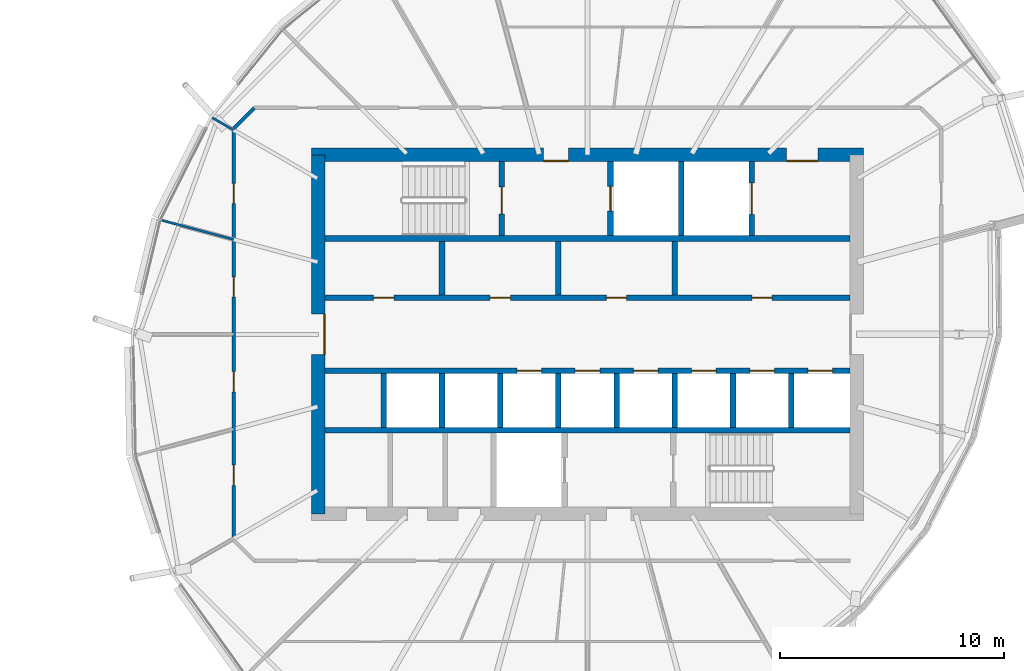
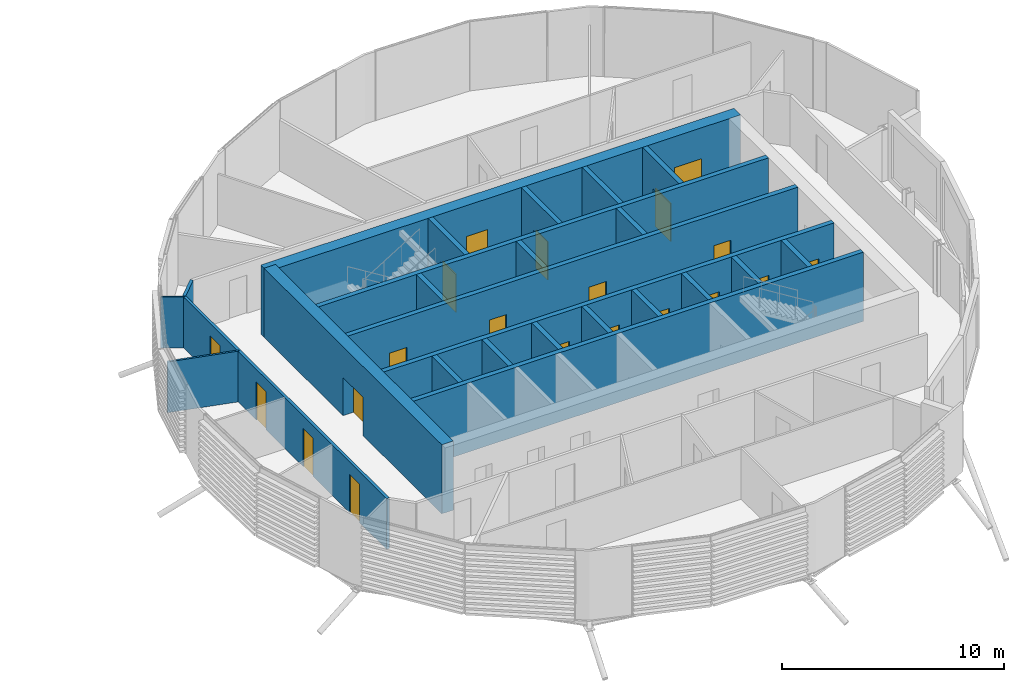
# One storey, part 22 of 35: 25 walls, 20 doors, 20 openings.
"""IFC4 building model written with IfcOpenShell, lengths in metres."""

from ifc_helpers import new_model, si_unit, direction, frame, frame_2d, origin, place, context, subcontext, project, spatial, rectangle, extrude, material, layer, layer_set, type_object, element, fill, save


model = new_model("IFC4")

# Units and contexts
model_context = context("Model", 3, precision=1e-05, world=origin(), true_north=direction((0.0, 1.0)))
body_context = subcontext(model_context, "Body", "Model", "MODEL_VIEW")
ifc_project = project(units=[si_unit("LENGTHUNIT", "METRE"), si_unit("AREAUNIT", "SQUARE_METRE"), si_unit("VOLUMEUNIT", "CUBIC_METRE"), si_unit("PLANEANGLEUNIT", "RADIAN"), si_unit("MASSUNIT", "GRAM", prefix="KILO")], contexts=[model_context])

# Site, building, storey
site_placement = place(None, origin())
site = spatial("IfcSite", under=ifc_project, at=site_placement, CompositionType="ELEMENT")
building_placement = place(site_placement, origin())
building = spatial("IfcBuilding", under=site, at=building_placement, Name="Rimbun Link Towers", CompositionType="ELEMENT")
storey_placement = place(building_placement, frame((0.0, 0.0, 196.89990234375)))
storey = spatial("IfcBuildingStorey", under=building, at=storey_placement, Name="L48", CompositionType="ELEMENT", Elevation=196.89990234375)

# Wall, openings, doors
ifc_material_1 = material(Name="Concrete C60/75", Category="concrete")
ifc_layer_1 = layer(ifc_material_1, 0.60009765625)
ifc_layer_set_1 = layer_set([ifc_layer_1], Name="Core shear wall 600")
wall_type_1 = type_object("IfcWallType", Name="Core shear wall 600", PredefinedType="SHEAR", material=ifc_layer_set_1)
wall_1_placement = place(storey_placement, frame((19.449951171875, 8.0, 0.0), z_axis=(0.0, 0.0, 1.0), x_axis=(1.0, 0.0, 0.0)))
wall_1 = element("IfcWall", 1, at=wall_1_placement, inside=storey, type_object=wall_type_1, Name="L48 T2 core wall N", PredefinedType="SHEAR", context=body_context, shape_type="SweptSolid", body=[
    extrude(rectangle(XDim=24.60009765625, YDim=0.60009765625, at=frame_2d((12.300048828125, 0.0))), origin(), (0.0, 0.0, 1.0), 3.800048828125),
])
opening_1_placement = place(wall_1_placement, frame((10.35009765625, 0.0, 0.0)))
opening_1 = element("IfcOpeningElement", 2, at=opening_1_placement, cuts=wall_1, Name="Opening C2DCF01N", PredefinedType="OPENING", context=body_context, shape_type="SweptSolid", body=[
    extrude(rectangle(XDim=1.10009765625, YDim=2.10009765625, at=frame_2d((0.550048828125, 1.050048828125))), frame((0.0, 0.31005859375, 0.0), z_axis=(0.0, -1.0, 0.0), x_axis=(1.0, 0.0, 0.0)), (0.0, 0.0, 1.0), 0.6201171875),
])
opening_2_placement = place(wall_1_placement, frame((21.175048828125, 0.0, 0.0)))
opening_2 = element("IfcOpeningElement", 3, at=opening_2_placement, cuts=wall_1, Name="Opening C2DSL02N", PredefinedType="OPENING", context=body_context, shape_type="SweptSolid", body=[
    extrude(rectangle(XDim=1.39990234375, YDim=2.10009765625, at=frame_2d((0.699951171875, 1.050048828125))), frame((0.0, 0.31005859375, 0.0), z_axis=(0.0, -1.0, 0.0), x_axis=(1.0, 0.0, 0.0)), (0.0, 0.0, 1.0), 0.6201171875),
])
ifc_material_2 = material(Name="Steel fire door set", Category="steel")
door_type_1 = type_object("IfcDoorType", Name="Core fire door single", OperationType="SINGLE_SWING_LEFT", PredefinedType="DOOR", material=ifc_material_2)
door_1_placement = place(opening_1_placement, origin())
door_1 = element("IfcDoor", 4, at=door_1_placement, inside=storey, type_object=door_type_1, Name="L48 T2 firefighting lobby n door", OperationType="SINGLE_SWING_LEFT", OverallHeight=2.10009765625, OverallWidth=1.10009765625, PredefinedType="DOOR", context=body_context, shape_type="SweptSolid", body=[
    extrude(rectangle(XDim=1.10009765625, YDim=2.10009765625, at=frame_2d((0.550048828125, 1.050048828125))), frame((0.0, -0.25, 0.0), z_axis=(0.0, -1.0, 0.0), x_axis=(1.0, 0.0, 0.0)), (0.0, 0.0, 1.0), 0.050048828125),
])
fill(opening_1, door_1)
ifc_material_3 = material(Name="Steel fire door set", Category="steel")
door_type_2 = type_object("IfcDoorType", Name="Service lobby door double", OperationType="DOUBLE_DOOR_SINGLE_SWING", PredefinedType="DOOR", material=ifc_material_3)
door_2_placement = place(opening_2_placement, origin())
door_2 = element("IfcDoor", 5, at=door_2_placement, inside=storey, type_object=door_type_2, Name="L48 T2 service lobby door", OperationType="DOUBLE_DOOR_SINGLE_SWING", OverallHeight=2.10009765625, OverallWidth=1.39990234375, PredefinedType="DOOR", context=body_context, shape_type="SweptSolid", body=[
    extrude(rectangle(XDim=1.39990234375, YDim=2.10009765625, at=frame_2d((0.699951171875, 1.050048828125))), frame((0.0, -0.25, 0.0), z_axis=(0.0, -1.0, 0.0), x_axis=(1.0, 0.0, 0.0)), (0.0, 0.0, 1.0), 0.050048828125),
])
fill(opening_2, door_2)

# Wall, opening, door
wall_2_placement = place(storey_placement, frame((19.75, -8.0, 0.0), z_axis=(0.0, 0.0, 1.0), x_axis=(0.0, 1.0, 0.0)))
wall_2 = element("IfcWall", 6, at=wall_2_placement, inside=storey, type_object=wall_type_1, Name="L48 T2 core wall W", PredefinedType="SHEAR", context=body_context, shape_type="SweptSolid", body=[
    extrude(rectangle(XDim=16.0, YDim=0.60009765625, at=frame_2d((8.0, 0.0))), origin(), (0.0, 0.0, 1.0), 3.800048828125),
])
opening_3_placement = place(wall_2_placement, frame((7.10009765625, 0.0, 0.0)))
opening_3 = element("IfcOpeningElement", 7, at=opening_3_placement, cuts=wall_2, Name="Opening C2DCL01W", PredefinedType="OPENING", context=body_context, shape_type="SweptSolid", body=[
    extrude(rectangle(XDim=1.800048828125, YDim=2.10009765625, at=frame_2d((0.89990234375, 1.050048828125))), frame((0.0, 0.31005859375, 0.0), z_axis=(0.0, -1.0, 0.0), x_axis=(1.0, 0.0, 0.0)), (0.0, 0.0, 1.0), 0.6201171875),
])
ifc_material_4 = material(Name="Steel fire door set", Category="steel")
door_type_3 = type_object("IfcDoorType", Name="Core lobby door double", OperationType="DOUBLE_DOOR_SINGLE_SWING", PredefinedType="DOOR", material=ifc_material_4)
door_3_placement = place(opening_3_placement, origin())
door_3 = element("IfcDoor", 8, at=door_3_placement, inside=storey, type_object=door_type_3, Name="L48 T2 lift lobby door", OperationType="DOUBLE_DOOR_SINGLE_SWING", OverallHeight=2.10009765625, OverallWidth=1.800048828125, PredefinedType="DOOR", context=body_context, shape_type="SweptSolid", body=[
    extrude(rectangle(XDim=1.800048828125, YDim=2.10009765625, at=frame_2d((0.89990234375, 1.050048828125))), frame((0.0, -0.25, 0.0), z_axis=(0.0, -1.0, 0.0), x_axis=(1.0, 0.0, 0.0)), (0.0, 0.0, 1.0), 0.050048828125),
])
fill(opening_3, door_3)

# Wall, openings, doors
ifc_material_5 = material(Name="Plasterboard on steel stud, mineral wool", Category="steel")
ifc_layer_2 = layer(ifc_material_5, 0.14990234375)
ifc_layer_set_2 = layer_set([ifc_layer_2], Name="Corridor wall EI 30 150 mm")
wall_type_2 = type_object("IfcWallType", Name="Corridor wall EI 30 150 mm", PredefinedType="PARTITIONING", material=ifc_layer_set_2)
wall_3_placement = place(storey_placement, frame((15.97509765625, -9.173583984375, 0.0), z_axis=(0.0, 0.0, 1.0), x_axis=(0.0, 1.0, 0.0)))
wall_3 = element("IfcWall", 9, at=wall_3_placement, inside=storey, type_object=wall_type_2, Name="Corridor wall EI 30 150 mm", PredefinedType="PARTITIONING", context=body_context, shape_type="SweptSolid", body=[
    extrude(rectangle(XDim=18.34716796875, YDim=0.14990234375, at=frame_2d((9.173583984375, 0.0))), origin(), (0.0, 0.0, 1.0), 2.7890625),
])
opening_4_placement = place(wall_3_placement, frame((15.002197265625, 0.0, 0.0)))
opening_4 = element("IfcOpeningElement", 10, at=opening_4_placement, cuts=wall_3, Name="Opening D02", PredefinedType="OPENING", context=body_context, shape_type="SweptSolid", body=[
    extrude(rectangle(XDim=0.89990234375, YDim=2.10009765625, at=frame_2d((0.449951171875, 1.050048828125))), frame((0.0, 0.0849609375, 0.0), z_axis=(0.0, -1.0, 0.0), x_axis=(1.0, 0.0, 0.0)), (0.0, 0.0, 1.0), 0.169921875),
])
opening_5_placement = place(wall_3_placement, frame((10.837158203125, 0.0, 0.0)))
opening_5 = element("IfcOpeningElement", 11, at=opening_5_placement, cuts=wall_3, Name="Opening D02", PredefinedType="OPENING", context=body_context, shape_type="SweptSolid", body=[
    extrude(rectangle(XDim=0.89990234375, YDim=2.10009765625, at=frame_2d((0.449951171875, 1.050048828125))), frame((0.0, 0.0849609375, 0.0), z_axis=(0.0, -1.0, 0.0), x_axis=(1.0, 0.0, 0.0)), (0.0, 0.0, 1.0), 0.169921875),
])
opening_6_placement = place(wall_3_placement, frame((6.6103515625, 0.0, 0.0)))
opening_6 = element("IfcOpeningElement", 12, at=opening_6_placement, cuts=wall_3, Name="Opening D02", PredefinedType="OPENING", context=body_context, shape_type="SweptSolid", body=[
    extrude(rectangle(XDim=0.89990234375, YDim=2.10009765625, at=frame_2d((0.449951171875, 1.050048828125))), frame((0.0, 0.0849609375, 0.0), z_axis=(0.0, -1.0, 0.0), x_axis=(1.0, 0.0, 0.0)), (0.0, 0.0, 1.0), 0.169921875),
])
opening_7_placement = place(wall_3_placement, frame((2.4453125, 0.0, 0.0)))
opening_7 = element("IfcOpeningElement", 13, at=opening_7_placement, cuts=wall_3, Name="Opening D02", PredefinedType="OPENING", context=body_context, shape_type="SweptSolid", body=[
    extrude(rectangle(XDim=0.89990234375, YDim=2.10009765625, at=frame_2d((0.449951171875, 1.050048828125))), frame((0.0, 0.0849609375, 0.0), z_axis=(0.0, -1.0, 0.0), x_axis=(1.0, 0.0, 0.0)), (0.0, 0.0, 1.0), 0.169921875),
])
ifc_material_6 = material(Name="Fire-resisting timber door leaf", Category="wood")
door_type_4 = type_object("IfcDoorType", Name="Fire door FD30S 900", OperationType="NOTDEFINED", PredefinedType="DOOR", material=ifc_material_6)
door_4_placement = place(opening_4_placement, origin())
door_4 = element("IfcDoor", 14, at=door_4_placement, inside=storey, type_object=door_type_4, Name="Fire door FD30S 900 to Communications room", OperationType="SINGLE_SWING_LEFT", OverallHeight=2.10009765625, OverallWidth=0.89990234375, PredefinedType="DOOR", context=body_context, shape_type="SweptSolid", body=[
    extrude(rectangle(XDim=0.89990234375, YDim=2.10009765625, at=frame_2d((0.449951171875, 1.050048828125))), frame((0.0, 0.02490234375, 0.0), z_axis=(0.0, -1.0, 0.0), x_axis=(1.0, 0.0, 0.0)), (0.0, 0.0, 1.0), 0.050048828125),
])
fill(opening_4, door_4)
door_5_placement = place(opening_5_placement, origin())
door_5 = element("IfcDoor", 15, at=door_5_placement, inside=storey, type_object=door_type_4, Name="Fire door FD30S 900 to Trading floor", OperationType="SINGLE_SWING_RIGHT", OverallHeight=2.10009765625, OverallWidth=0.89990234375, PredefinedType="DOOR", context=body_context, shape_type="SweptSolid", body=[
    extrude(rectangle(XDim=0.89990234375, YDim=2.10009765625, at=frame_2d((0.449951171875, 1.050048828125))), frame((0.0, 0.02490234375, 0.0), z_axis=(0.0, -1.0, 0.0), x_axis=(1.0, 0.0, 0.0)), (0.0, 0.0, 1.0), 0.050048828125),
])
fill(opening_5, door_5)
door_6_placement = place(opening_6_placement, origin())
door_6 = element("IfcDoor", 16, at=door_6_placement, inside=storey, type_object=door_type_4, Name="Fire door FD30S 900 to Data room", OperationType="SINGLE_SWING_LEFT", OverallHeight=2.10009765625, OverallWidth=0.89990234375, PredefinedType="DOOR", context=body_context, shape_type="SweptSolid", body=[
    extrude(rectangle(XDim=0.89990234375, YDim=2.10009765625, at=frame_2d((0.449951171875, 1.050048828125))), frame((0.0, 0.02490234375, 0.0), z_axis=(0.0, -1.0, 0.0), x_axis=(1.0, 0.0, 0.0)), (0.0, 0.0, 1.0), 0.050048828125),
])
fill(opening_6, door_6)
door_7_placement = place(opening_7_placement, origin())
door_7 = element("IfcDoor", 17, at=door_7_placement, inside=storey, type_object=door_type_4, Name="Fire door FD30S 900 to Communications room", OperationType="SINGLE_SWING_RIGHT", OverallHeight=2.10009765625, OverallWidth=0.89990234375, PredefinedType="DOOR", context=body_context, shape_type="SweptSolid", body=[
    extrude(rectangle(XDim=0.89990234375, YDim=2.10009765625, at=frame_2d((0.449951171875, 1.050048828125))), frame((0.0, 0.02490234375, 0.0), z_axis=(0.0, -1.0, 0.0), x_axis=(1.0, 0.0, 0.0)), (0.0, 0.0, 1.0), 0.050048828125),
])
fill(opening_7, door_7)

# Walls
wall_4_placement = place(storey_placement, frame((16.896240234375, 10.094970703125, 0.0), z_axis=(0.0, 0.0, 1.0), x_axis=(-0.707013081223, -0.707200468735, 0.0)))
element("IfcWall", 18, at=wall_4_placement, inside=storey, type_object=wall_type_2, Name="Corridor wall EI 30 150 mm", PredefinedType="PARTITIONING", context=body_context, shape_type="SweptSolid", body=[
    extrude(rectangle(XDim=1.302978515625, YDim=0.14990234375, at=frame_2d((0.6513671875, 0.0))), origin(), (0.0, 0.0, 1.0), 2.7890625),
])
ifc_material_7 = material(Name="Plasterboard on steel stud", Category="steel")
ifc_layer_3 = layer(ifc_material_7, 0.10009765625)
ifc_layer_set_3 = layer_set([ifc_layer_3], Name="Plasterboard partition 100 mm")
wall_type_3 = type_object("IfcWallType", Name="Plasterboard partition 100 mm", PredefinedType="PARTITIONING", material=ifc_layer_set_3)
wall_5_placement = place(storey_placement, frame((15.024169921875, 9.65673828125, 0.0), z_axis=(0.0, 0.0, 1.0), x_axis=(0.866100429271, -0.499870029525, 0.0)))
element("IfcWall", 19, at=wall_5_placement, inside=storey, type_object=wall_type_3, Name="Plasterboard partition 100 mm", PredefinedType="PARTITIONING", context=body_context, shape_type="SweptSolid", body=[
    extrude(rectangle(XDim=1.097900390625, YDim=0.10009765625, at=frame_2d((0.548828125, 0.0))), origin(), (0.0, 0.0, 1.0), 2.7890625),
])
wall_6_placement = place(storey_placement, frame((12.733642578125, 5.095458984375, 0.0), z_axis=(0.0, 0.0, 1.0), x_axis=(0.965917849167, -0.258848814291, 0.0)))
element("IfcWall", 20, at=wall_6_placement, inside=storey, type_object=wall_type_3, Name="Plasterboard partition 100 mm", PredefinedType="PARTITIONING", context=body_context, shape_type="SweptSolid", body=[
    extrude(rectangle(XDim=3.355712890625, YDim=0.10009765625, at=frame_2d((1.677734375, 0.0))), origin(), (0.0, 0.0, 1.0), 2.7890625),
])
ifc_material_8 = material(Name="Concrete C60/75", Category="concrete")
ifc_layer_4 = layer(ifc_material_8, 0.25)
ifc_layer_set_4 = layer_set([ifc_layer_4], Name="Shaft wall 250")
wall_type_4 = type_object("IfcWallType", Name="Shaft wall 250", PredefinedType="SHEAR", material=ifc_layer_set_4)
for number, where, z_axis, x_axis, name in (
    (21, (20.050048828125, 4.27490234375, 0.0), (0.0, 0.0, 1.0), (1.0, 0.0, 0.0), "L48 T2 core wall BN"),
    (22, (20.050048828125, -4.27490234375, 0.0), (0.0, 0.0, 1.0), (1.0, 0.0, 0.0), "L48 T2 core wall BS"),
):
    element("IfcWall", number, at=place(storey_placement, frame(where, z_axis=z_axis, x_axis=x_axis)), inside=storey, type_object=wall_type_4, Name=name, PredefinedType="SHEAR", context=body_context, shape_type="SweptSolid", body=[
        extrude(rectangle(XDim=23.39990234375, YDim=0.25, at=frame_2d((11.699951171875, 0.0))), origin(), (0.0, 0.0, 1.0), 3.800048828125),
    ])

# Wall, openings, doors
wall_7_placement = place(storey_placement, frame((20.050048828125, 1.625, 0.0), z_axis=(0.0, 0.0, 1.0), x_axis=(1.0, 0.0, 0.0)))
wall_7 = element("IfcWall", 23, at=wall_7_placement, inside=storey, type_object=wall_type_4, Name="L48 T2 core wall FN", PredefinedType="SHEAR", context=body_context, shape_type="SweptSolid", body=[
    extrude(rectangle(XDim=23.39990234375, YDim=0.25, at=frame_2d((11.699951171875, 0.0))), origin(), (0.0, 0.0, 1.0), 3.800048828125),
])
opening_8_placement = place(wall_7_placement, frame((2.16943359375, 0.0, 0.0)))
opening_8 = element("IfcOpeningElement", 24, at=opening_8_placement, cuts=wall_7, Name="Opening C2DRS01FN", PredefinedType="OPENING", context=body_context, shape_type="SweptSolid", body=[
    extrude(rectangle(XDim=0.89990234375, YDim=2.10009765625, at=frame_2d((0.449951171875, 1.050048828125))), frame((0.0, 0.135009765625, 0.0), z_axis=(0.0, -1.0, 0.0), x_axis=(1.0, 0.0, 0.0)), (0.0, 0.0, 1.0), 0.27001953125),
])
opening_9_placement = place(wall_7_placement, frame((7.3583984375, 0.0, 0.0)))
opening_9 = element("IfcOpeningElement", 25, at=opening_9_placement, cuts=wall_7, Name="Opening C2DRS02FN", PredefinedType="OPENING", context=body_context, shape_type="SweptSolid", body=[
    extrude(rectangle(XDim=0.89990234375, YDim=2.10009765625, at=frame_2d((0.449951171875, 1.050048828125))), frame((0.0, 0.135009765625, 0.0), z_axis=(0.0, -1.0, 0.0), x_axis=(1.0, 0.0, 0.0)), (0.0, 0.0, 1.0), 0.27001953125),
])
opening_10_placement = place(wall_7_placement, frame((12.547119140625, 0.0, 0.0)))
opening_10 = element("IfcOpeningElement", 26, at=opening_10_placement, cuts=wall_7, Name="Opening C2DRS03FN", PredefinedType="OPENING", context=body_context, shape_type="SweptSolid", body=[
    extrude(rectangle(XDim=0.89990234375, YDim=2.10009765625, at=frame_2d((0.449951171875, 1.050048828125))), frame((0.0, 0.135009765625, 0.0), z_axis=(0.0, -1.0, 0.0), x_axis=(1.0, 0.0, 0.0)), (0.0, 0.0, 1.0), 0.27001953125),
])
opening_11_placement = place(wall_7_placement, frame((19.033203125, 0.0, 0.0)))
opening_11 = element("IfcOpeningElement", 27, at=opening_11_placement, cuts=wall_7, Name="Opening C2DRS04FN", PredefinedType="OPENING", context=body_context, shape_type="SweptSolid", body=[
    extrude(rectangle(XDim=0.89990234375, YDim=2.10009765625, at=frame_2d((0.449951171875, 1.050048828125))), frame((0.0, 0.135009765625, 0.0), z_axis=(0.0, -1.0, 0.0), x_axis=(1.0, 0.0, 0.0)), (0.0, 0.0, 1.0), 0.27001953125),
])
ifc_material_9 = material(Name="Steel fire door set", Category="steel")
door_type_5 = type_object("IfcDoorType", Name="Core riser door", OperationType="SINGLE_SWING_LEFT", PredefinedType="DOOR", material=ifc_material_9)
door_8_placement = place(opening_8_placement, origin())
door_8 = element("IfcDoor", 28, at=door_8_placement, inside=storey, type_object=door_type_5, Name="L48 T2 pantry door", OperationType="SINGLE_SWING_LEFT", OverallHeight=2.10009765625, OverallWidth=0.89990234375, PredefinedType="DOOR", context=body_context, shape_type="SweptSolid", body=[
    extrude(rectangle(XDim=0.89990234375, YDim=2.10009765625, at=frame_2d((0.449951171875, 1.050048828125))), frame((0.0, 0.02490234375, 0.0), z_axis=(0.0, -1.0, 0.0), x_axis=(1.0, 0.0, 0.0)), (0.0, 0.0, 1.0), 0.050048828125),
])
fill(opening_8, door_8)
door_9_placement = place(opening_9_placement, origin())
door_9 = element("IfcDoor", 29, at=door_9_placement, inside=storey, type_object=door_type_5, Name="L48 T2 first aid room door", OperationType="SINGLE_SWING_LEFT", OverallHeight=2.10009765625, OverallWidth=0.89990234375, PredefinedType="DOOR", context=body_context, shape_type="SweptSolid", body=[
    extrude(rectangle(XDim=0.89990234375, YDim=2.10009765625, at=frame_2d((0.449951171875, 1.050048828125))), frame((0.0, 0.02490234375, 0.0), z_axis=(0.0, -1.0, 0.0), x_axis=(1.0, 0.0, 0.0)), (0.0, 0.0, 1.0), 0.050048828125),
])
fill(opening_9, door_9)
door_10_placement = place(opening_10_placement, origin())
door_10 = element("IfcDoor", 30, at=door_10_placement, inside=storey, type_object=door_type_5, Name="L48 T2 mail room door", OperationType="SINGLE_SWING_LEFT", OverallHeight=2.10009765625, OverallWidth=0.89990234375, PredefinedType="DOOR", context=body_context, shape_type="SweptSolid", body=[
    extrude(rectangle(XDim=0.89990234375, YDim=2.10009765625, at=frame_2d((0.449951171875, 1.050048828125))), frame((0.0, 0.02490234375, 0.0), z_axis=(0.0, -1.0, 0.0), x_axis=(1.0, 0.0, 0.0)), (0.0, 0.0, 1.0), 0.050048828125),
])
fill(opening_10, door_10)
door_11_placement = place(opening_11_placement, origin())
door_11 = element("IfcDoor", 31, at=door_11_placement, inside=storey, type_object=door_type_5, Name="L48 T2 wellness room door", OperationType="SINGLE_SWING_RIGHT", OverallHeight=2.10009765625, OverallWidth=0.89990234375, PredefinedType="DOOR", context=body_context, shape_type="SweptSolid", body=[
    extrude(rectangle(XDim=0.89990234375, YDim=2.10009765625, at=frame_2d((0.449951171875, 1.050048828125))), frame((0.0, 0.02490234375, 0.0), z_axis=(0.0, -1.0, 0.0), x_axis=(1.0, 0.0, 0.0)), (0.0, 0.0, 1.0), 0.050048828125),
])
fill(opening_11, door_11)

wall_8_placement = place(storey_placement, frame((20.050048828125, -1.625, 0.0), z_axis=(0.0, 0.0, 1.0), x_axis=(1.0, 0.0, 0.0)))
wall_8 = element("IfcWall", 32, at=wall_8_placement, inside=storey, type_object=wall_type_4, Name="L48 T2 core wall FS", PredefinedType="SHEAR", context=body_context, shape_type="SweptSolid", body=[
    extrude(rectangle(XDim=23.39990234375, YDim=0.25, at=frame_2d((11.699951171875, 0.0))), origin(), (0.0, 0.0, 1.0), 3.800048828125),
])
opening_12_placement = place(wall_8_placement, frame((8.5556640625, 0.0, 0.0)))
opening_12 = element("IfcOpeningElement", 33, at=opening_12_placement, cuts=wall_8, Name="Opening LD-T2-HR1", PredefinedType="OPENING", context=body_context, shape_type="SweptSolid", body=[
    extrude(rectangle(XDim=1.10009765625, YDim=2.10009765625, at=frame_2d((0.550048828125, 1.050048828125))), frame((0.0, 0.135009765625, 0.0), z_axis=(0.0, -1.0, 0.0), x_axis=(1.0, 0.0, 0.0)), (0.0, 0.0, 1.0), 0.27001953125),
])
opening_13_placement = place(wall_8_placement, frame((11.14990234375, 0.0, 0.0)))
opening_13 = element("IfcOpeningElement", 34, at=opening_13_placement, cuts=wall_8, Name="Opening LD-T2-HR2", PredefinedType="OPENING", context=body_context, shape_type="SweptSolid", body=[
    extrude(rectangle(XDim=1.10009765625, YDim=2.10009765625, at=frame_2d((0.550048828125, 1.050048828125))), frame((0.0, 0.135009765625, 0.0), z_axis=(0.0, -1.0, 0.0), x_axis=(1.0, 0.0, 0.0)), (0.0, 0.0, 1.0), 0.27001953125),
])
opening_14_placement = place(wall_8_placement, frame((13.744384765625, 0.0, 0.0)))
opening_14 = element("IfcOpeningElement", 35, at=opening_14_placement, cuts=wall_8, Name="Opening LD-T2-HR3", PredefinedType="OPENING", context=body_context, shape_type="SweptSolid", body=[
    extrude(rectangle(XDim=1.10009765625, YDim=2.10009765625, at=frame_2d((0.550048828125, 1.050048828125))), frame((0.0, 0.135009765625, 0.0), z_axis=(0.0, -1.0, 0.0), x_axis=(1.0, 0.0, 0.0)), (0.0, 0.0, 1.0), 0.27001953125),
])
opening_15_placement = place(wall_8_placement, frame((16.3388671875, 0.0, 0.0)))
opening_15 = element("IfcOpeningElement", 36, at=opening_15_placement, cuts=wall_8, Name="Opening LD-T2-HR4", PredefinedType="OPENING", context=body_context, shape_type="SweptSolid", body=[
    extrude(rectangle(XDim=1.10009765625, YDim=2.10009765625, at=frame_2d((0.550048828125, 1.050048828125))), frame((0.0, 0.135009765625, 0.0), z_axis=(0.0, -1.0, 0.0), x_axis=(1.0, 0.0, 0.0)), (0.0, 0.0, 1.0), 0.27001953125),
])
opening_16_placement = place(wall_8_placement, frame((18.933349609375, 0.0, 0.0)))
opening_16 = element("IfcOpeningElement", 37, at=opening_16_placement, cuts=wall_8, Name="Opening LD-T2-HR5", PredefinedType="OPENING", context=body_context, shape_type="SweptSolid", body=[
    extrude(rectangle(XDim=1.10009765625, YDim=2.10009765625, at=frame_2d((0.550048828125, 1.050048828125))), frame((0.0, 0.135009765625, 0.0), z_axis=(0.0, -1.0, 0.0), x_axis=(1.0, 0.0, 0.0)), (0.0, 0.0, 1.0), 0.27001953125),
])
opening_17_placement = place(wall_8_placement, frame((21.52783203125, 0.0, 0.0)))
opening_17 = element("IfcOpeningElement", 38, at=opening_17_placement, cuts=wall_8, Name="Opening LD-T2-HR6", PredefinedType="OPENING", context=body_context, shape_type="SweptSolid", body=[
    extrude(rectangle(XDim=1.10009765625, YDim=2.10009765625, at=frame_2d((0.550048828125, 1.050048828125))), frame((0.0, 0.135009765625, 0.0), z_axis=(0.0, -1.0, 0.0), x_axis=(1.0, 0.0, 0.0)), (0.0, 0.0, 1.0), 0.27001953125),
])
ifc_material_10 = material(Name="Stainless steel grade 316", Category="steel")
door_type_6 = type_object("IfcDoorType", Name="Lift landing door", OperationType="DOUBLE_DOOR_SLIDING", PredefinedType="DOOR", material=ifc_material_10)
door_12_placement = place(opening_12_placement, origin())
door_12 = element("IfcDoor", 39, at=door_12_placement, inside=storey, type_object=door_type_6, Name="L48 T2 lift HR1 landing door", OperationType="DOUBLE_DOOR_SLIDING", OverallHeight=2.10009765625, OverallWidth=1.10009765625, PredefinedType="DOOR", context=body_context, shape_type="SweptSolid", body=[
    extrude(rectangle(XDim=1.10009765625, YDim=2.10009765625, at=frame_2d((0.550048828125, 1.050048828125))), frame((0.0, 0.02490234375, 0.0), z_axis=(0.0, -1.0, 0.0), x_axis=(1.0, 0.0, 0.0)), (0.0, 0.0, 1.0), 0.050048828125),
])
fill(opening_12, door_12)
door_13_placement = place(opening_13_placement, origin())
door_13 = element("IfcDoor", 40, at=door_13_placement, inside=storey, type_object=door_type_6, Name="L48 T2 lift HR2 landing door", OperationType="DOUBLE_DOOR_SLIDING", OverallHeight=2.10009765625, OverallWidth=1.10009765625, PredefinedType="DOOR", context=body_context, shape_type="SweptSolid", body=[
    extrude(rectangle(XDim=1.10009765625, YDim=2.10009765625, at=frame_2d((0.550048828125, 1.050048828125))), frame((0.0, 0.02490234375, 0.0), z_axis=(0.0, -1.0, 0.0), x_axis=(1.0, 0.0, 0.0)), (0.0, 0.0, 1.0), 0.050048828125),
])
fill(opening_13, door_13)
door_14_placement = place(opening_14_placement, origin())
door_14 = element("IfcDoor", 41, at=door_14_placement, inside=storey, type_object=door_type_6, Name="L48 T2 lift HR3 landing door", OperationType="DOUBLE_DOOR_SLIDING", OverallHeight=2.10009765625, OverallWidth=1.10009765625, PredefinedType="DOOR", context=body_context, shape_type="SweptSolid", body=[
    extrude(rectangle(XDim=1.10009765625, YDim=2.10009765625, at=frame_2d((0.550048828125, 1.050048828125))), frame((0.0, 0.02490234375, 0.0), z_axis=(0.0, -1.0, 0.0), x_axis=(1.0, 0.0, 0.0)), (0.0, 0.0, 1.0), 0.050048828125),
])
fill(opening_14, door_14)
door_15_placement = place(opening_15_placement, origin())
door_15 = element("IfcDoor", 42, at=door_15_placement, inside=storey, type_object=door_type_6, Name="L48 T2 lift HR4 landing door", OperationType="DOUBLE_DOOR_SLIDING", OverallHeight=2.10009765625, OverallWidth=1.10009765625, PredefinedType="DOOR", context=body_context, shape_type="SweptSolid", body=[
    extrude(rectangle(XDim=1.10009765625, YDim=2.10009765625, at=frame_2d((0.550048828125, 1.050048828125))), frame((0.0, 0.02490234375, 0.0), z_axis=(0.0, -1.0, 0.0), x_axis=(1.0, 0.0, 0.0)), (0.0, 0.0, 1.0), 0.050048828125),
])
fill(opening_15, door_15)
door_16_placement = place(opening_16_placement, origin())
door_16 = element("IfcDoor", 43, at=door_16_placement, inside=storey, type_object=door_type_6, Name="L48 T2 lift HR5 landing door", OperationType="DOUBLE_DOOR_SLIDING", OverallHeight=2.10009765625, OverallWidth=1.10009765625, PredefinedType="DOOR", context=body_context, shape_type="SweptSolid", body=[
    extrude(rectangle(XDim=1.10009765625, YDim=2.10009765625, at=frame_2d((0.550048828125, 1.050048828125))), frame((0.0, 0.02490234375, 0.0), z_axis=(0.0, -1.0, 0.0), x_axis=(1.0, 0.0, 0.0)), (0.0, 0.0, 1.0), 0.050048828125),
])
fill(opening_16, door_16)
door_17_placement = place(opening_17_placement, origin())
door_17 = element("IfcDoor", 44, at=door_17_placement, inside=storey, type_object=door_type_6, Name="L48 T2 lift HR6 landing door", OperationType="DOUBLE_DOOR_SLIDING", OverallHeight=2.10009765625, OverallWidth=1.10009765625, PredefinedType="DOOR", context=body_context, shape_type="SweptSolid", body=[
    extrude(rectangle(XDim=1.10009765625, YDim=2.10009765625, at=frame_2d((0.550048828125, 1.050048828125))), frame((0.0, 0.02490234375, 0.0), z_axis=(0.0, -1.0, 0.0), x_axis=(1.0, 0.0, 0.0)), (0.0, 0.0, 1.0), 0.050048828125),
])
fill(opening_17, door_17)

# Walls
for number, where, z_axis, x_axis, name in (
    (45, (25.263916015625, 1.75, 0.0), (0.0, 0.0, 1.0), (0.0, 1.0, 0.0), "L48 T2 core wall DN1"),
    (46, (30.452880859375, 1.75, 0.0), (0.0, 0.0, 1.0), (0.0, 1.0, 0.0), "L48 T2 core wall DN3"),
    (47, (35.6416015625, 1.75, 0.0), (0.0, 0.0, 1.0), (0.0, 1.0, 0.0), "L48 T2 core wall DN5"),
    (48, (22.66943359375, -4.14990234375, 0.0), (0.0, 0.0, 1.0), (0.0, 1.0, 0.0), "L48 T2 core wall DS0"),
    (49, (25.263916015625, -4.14990234375, 0.0), (0.0, 0.0, 1.0), (0.0, 1.0, 0.0), "L48 T2 core wall DS1"),
    (50, (27.8583984375, -4.14990234375, 0.0), (0.0, 0.0, 1.0), (0.0, 1.0, 0.0), "L48 T2 core wall DS2"),
    (51, (30.452880859375, -4.14990234375, 0.0), (0.0, 0.0, 1.0), (0.0, 1.0, 0.0), "L48 T2 core wall DS3"),
    (52, (33.047119140625, -4.14990234375, 0.0), (0.0, 0.0, 1.0), (0.0, 1.0, 0.0), "L48 T2 core wall DS4"),
    (53, (35.6416015625, -4.14990234375, 0.0), (0.0, 0.0, 1.0), (0.0, 1.0, 0.0), "L48 T2 core wall DS5"),
    (54, (38.236083984375, -4.14990234375, 0.0), (0.0, 0.0, 1.0), (0.0, 1.0, 0.0), "L48 T2 core wall DS6"),
    (55, (40.83056640625, -4.14990234375, 0.0), (0.0, 0.0, 1.0), (0.0, 1.0, 0.0), "L48 T2 core wall DS7"),
):
    element("IfcWall", number, at=place(storey_placement, frame(where, z_axis=z_axis, x_axis=x_axis)), inside=storey, type_object=wall_type_4, Name=name, PredefinedType="SHEAR", context=body_context, shape_type="SweptSolid", body=[
        extrude(rectangle(XDim=2.39990234375, YDim=0.25, at=frame_2d((1.199951171875, 0.0))), origin(), (0.0, 0.0, 1.0), 3.800048828125),
    ])

# Wall, opening, door
wall_9_placement = place(storey_placement, frame((27.925048828125, 4.39990234375, 0.0), z_axis=(0.0, 0.0, 1.0), x_axis=(0.0, 1.0, 0.0)))
wall_9 = element("IfcWall", 56, at=wall_9_placement, inside=storey, type_object=wall_type_4, Name="L48 T2 core wall A1", PredefinedType="SHEAR", context=body_context, shape_type="SweptSolid", body=[
    extrude(rectangle(XDim=3.300048828125, YDim=0.25, at=frame_2d((1.64990234375, 0.0))), origin(), (0.0, 0.0, 1.0), 3.800048828125),
])
opening_18_placement = place(wall_9_placement, frame((0.97509765625, 0.0, 0.0)))
opening_18 = element("IfcOpeningElement", 57, at=opening_18_placement, cuts=wall_9, Name="Opening C2DST01A1", PredefinedType="OPENING", context=body_context, shape_type="SweptSolid", body=[
    extrude(rectangle(XDim=1.199951171875, YDim=2.10009765625, at=frame_2d((0.60009765625, 1.050048828125))), frame((0.0, 0.135009765625, 0.0), z_axis=(0.0, -1.0, 0.0), x_axis=(1.0, 0.0, 0.0)), (0.0, 0.0, 1.0), 0.27001953125),
])
ifc_material_11 = material(Name="Steel fire door set", Category="steel")
door_type_7 = type_object("IfcDoorType", Name="Stair door", OperationType="SINGLE_SWING_LEFT", PredefinedType="DOOR", material=ifc_material_11)
door_18_placement = place(opening_18_placement, origin())
door_18 = element("IfcDoor", 58, at=door_18_placement, inside=storey, type_object=door_type_7, Name="L48 T2 stair a door", OperationType="SINGLE_SWING_RIGHT", OverallHeight=2.10009765625, OverallWidth=1.199951171875, PredefinedType="DOOR", context=body_context, shape_type="SweptSolid", body=[
    extrude(rectangle(XDim=1.199951171875, YDim=2.10009765625, at=frame_2d((0.60009765625, 1.050048828125))), frame((0.0, 0.02490234375, 0.0), z_axis=(0.0, -1.0, 0.0), x_axis=(1.0, 0.0, 0.0)), (0.0, 0.0, 1.0), 0.050048828125),
])
fill(opening_18, door_18)

wall_10_placement = place(storey_placement, frame((32.77490234375, 4.39990234375, 0.0), z_axis=(0.0, 0.0, 1.0), x_axis=(0.0, 1.0, 0.0)))
wall_10 = element("IfcWall", 59, at=wall_10_placement, inside=storey, type_object=wall_type_4, Name="L48 T2 core wall A2", PredefinedType="SHEAR", context=body_context, shape_type="SweptSolid", body=[
    extrude(rectangle(XDim=3.300048828125, YDim=0.25, at=frame_2d((1.64990234375, 0.0))), origin(), (0.0, 0.0, 1.0), 3.800048828125),
])
opening_19_placement = place(wall_10_placement, frame((1.10009765625, 0.0, 0.0)))
opening_19 = element("IfcOpeningElement", 60, at=opening_19_placement, cuts=wall_10, Name="Opening LD-T2-FF1", PredefinedType="OPENING", context=body_context, shape_type="SweptSolid", body=[
    extrude(rectangle(XDim=1.10009765625, YDim=2.10009765625, at=frame_2d((0.550048828125, 1.050048828125))), frame((0.0, 0.135009765625, 0.0), z_axis=(0.0, -1.0, 0.0), x_axis=(1.0, 0.0, 0.0)), (0.0, 0.0, 1.0), 0.27001953125),
])
door_19_placement = place(opening_19_placement, origin())
door_19 = element("IfcDoor", 61, at=door_19_placement, inside=storey, type_object=door_type_6, Name="L48 T2 lift FF1 landing door", OperationType="DOUBLE_DOOR_SLIDING", OverallHeight=2.10009765625, OverallWidth=1.10009765625, PredefinedType="DOOR", context=body_context, shape_type="SweptSolid", body=[
    extrude(rectangle(XDim=1.10009765625, YDim=2.10009765625, at=frame_2d((0.550048828125, 1.050048828125))), frame((0.0, 0.02490234375, 0.0), z_axis=(0.0, -1.0, 0.0), x_axis=(1.0, 0.0, 0.0)), (0.0, 0.0, 1.0), 0.050048828125),
])
fill(opening_19, door_19)

# Wall
wall_11_placement = place(storey_placement, frame((35.925048828125, 4.39990234375, 0.0), z_axis=(0.0, 0.0, 1.0), x_axis=(0.0, 1.0, 0.0)))
element("IfcWall", 62, at=wall_11_placement, inside=storey, type_object=wall_type_4, Name="L48 T2 core wall A3", PredefinedType="SHEAR", context=body_context, shape_type="SweptSolid", body=[
    extrude(rectangle(XDim=3.300048828125, YDim=0.25, at=frame_2d((1.64990234375, 0.0))), origin(), (0.0, 0.0, 1.0), 3.800048828125),
])

# Wall, opening, door
wall_12_placement = place(storey_placement, frame((39.074951171875, 4.39990234375, 0.0), z_axis=(0.0, 0.0, 1.0), x_axis=(0.0, 1.0, 0.0)))
wall_12 = element("IfcWall", 63, at=wall_12_placement, inside=storey, type_object=wall_type_4, Name="L48 T2 core wall A4", PredefinedType="SHEAR", context=body_context, shape_type="SweptSolid", body=[
    extrude(rectangle(XDim=3.300048828125, YDim=0.25, at=frame_2d((1.64990234375, 0.0))), origin(), (0.0, 0.0, 1.0), 3.800048828125),
])
opening_20_placement = place(wall_12_placement, frame((0.949951171875, 0.0, 0.0)))
opening_20 = element("IfcOpeningElement", 64, at=opening_20_placement, cuts=wall_12, Name="Opening LD-T2-GL1", PredefinedType="OPENING", context=body_context, shape_type="SweptSolid", body=[
    extrude(rectangle(XDim=1.39990234375, YDim=2.10009765625, at=frame_2d((0.699951171875, 1.050048828125))), frame((0.0, 0.135009765625, 0.0), z_axis=(0.0, -1.0, 0.0), x_axis=(1.0, 0.0, 0.0)), (0.0, 0.0, 1.0), 0.27001953125),
])
ifc_material_12 = material(Name="Stainless steel grade 316", Category="steel")
door_type_8 = type_object("IfcDoorType", Name="Goods lift landing door", OperationType="DOUBLE_DOOR_SLIDING", PredefinedType="DOOR", material=ifc_material_12)
door_20_placement = place(opening_20_placement, origin())
door_20 = element("IfcDoor", 65, at=door_20_placement, inside=storey, type_object=door_type_8, Name="L48 T2 lift GL1 landing door", OperationType="DOUBLE_DOOR_SLIDING", OverallHeight=2.10009765625, OverallWidth=1.39990234375, PredefinedType="DOOR", context=body_context, shape_type="SweptSolid", body=[
    extrude(rectangle(XDim=1.39990234375, YDim=2.10009765625, at=frame_2d((0.699951171875, 1.050048828125))), frame((0.0, 0.02490234375, 0.0), z_axis=(0.0, -1.0, 0.0), x_axis=(1.0, 0.0, 0.0)), (0.0, 0.0, 1.0), 0.050048828125),
])
fill(opening_20, door_20)

save(model, "model.ifc")
